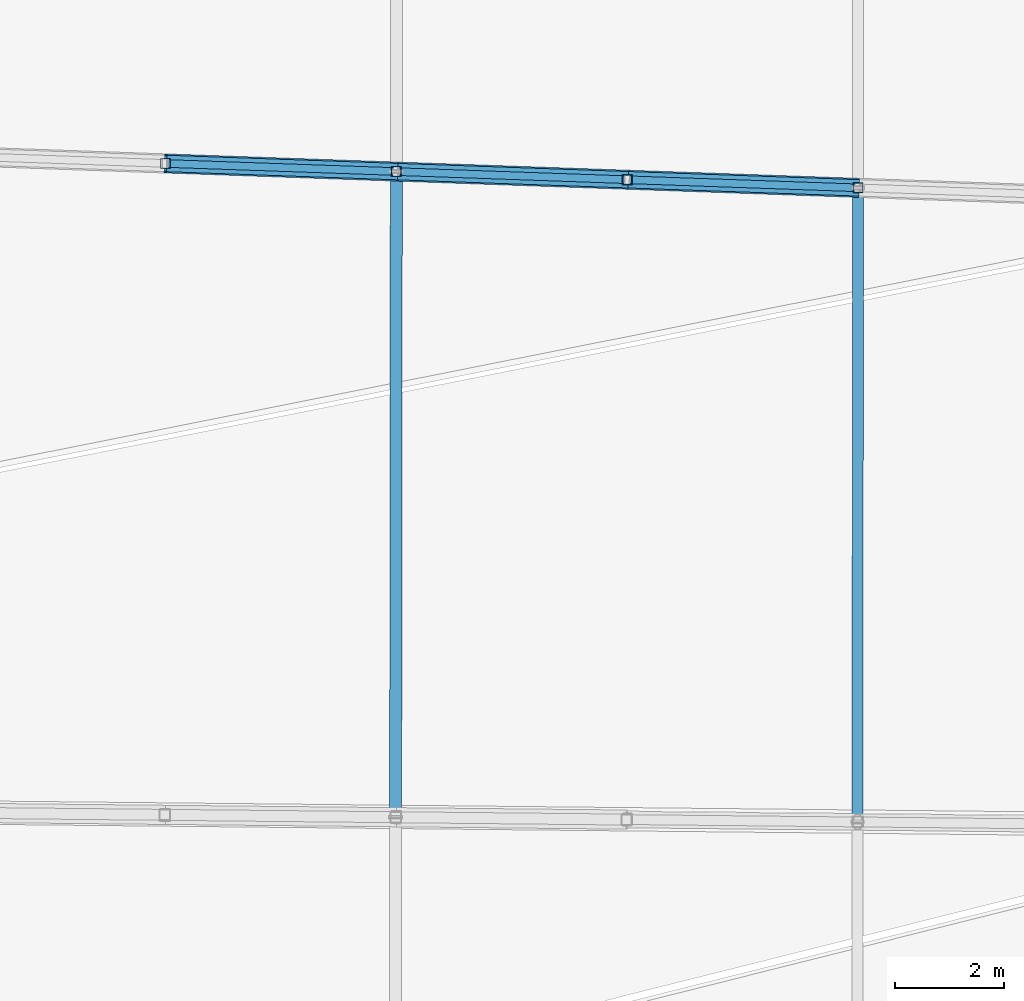
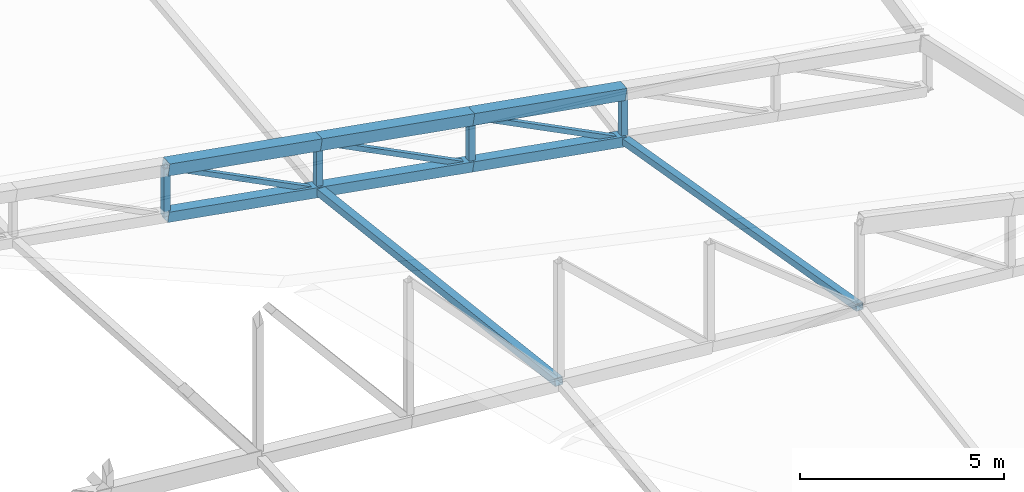
# One storey, part 65 of 344: 15 members.
"""IFC4 building model written with IfcOpenShell, lengths in metres."""

from ifc_helpers import new_model, si_unit, direction, frame, origin, origin_2d, place, context, subcontext, project, spatial, hollow_rectangle, extrude, material, material_profile, profile_set, type_object, element, save


model = new_model("IFC4")

# Units and contexts
model_context = context("Model", 3, precision=1e-05, world=origin(), true_north=direction((0.0, 1.0)))
body_context = subcontext(model_context, "Body", "Model", "MODEL_VIEW")
ifc_project = project(units=[si_unit("LENGTHUNIT", "METRE"), si_unit("AREAUNIT", "SQUARE_METRE"), si_unit("VOLUMEUNIT", "CUBIC_METRE"), si_unit("PLANEANGLEUNIT", "RADIAN"), si_unit("MASSUNIT", "GRAM", prefix="KILO")], contexts=[model_context])

# Site, building, storey
site_placement = place(None, origin())
site = spatial("IfcSite", under=ifc_project, at=site_placement, CompositionType="ELEMENT")
building_placement = place(site_placement, origin())
building = spatial("IfcBuilding", under=site, at=building_placement, Name="Meseta Stadium", CompositionType="ELEMENT")
storey_placement = place(building_placement, frame((0.0, 0.0, 24.0)))
storey = spatial("IfcBuildingStorey", under=building, at=storey_placement, Name="L04", CompositionType="ELEMENT", Elevation=24.0)

# Members
ifc_material_1 = material(Name="Steel S355", Category="steel")
ifc_material_profile_1 = material_profile(ifc_material_1, hollow_rectangle(XDim=0.139892578125, YDim=0.139892578125, WallThickness=0.0048828125, at=origin_2d()), Name="SHS 140x140x5")
ifc_profile_set_1 = profile_set([ifc_material_profile_1], Name="Steel S355")
member_type_1 = type_object("IfcMemberType", Name="SHS 140x140x5 diagonal", PredefinedType="BRACE", material=ifc_profile_set_1)
for number, where, z_axis, x_axis, name in (
    (1, (-55.43603515625, 17.36962890625, 2.3681640625), (-0.898066967953, 0.031645130098, 0.438718938288), (-0.035215082554, -0.999379756629, 0.0), "ROOF TRUSS RT-31 diagonal"),
    (2, (-59.655517578125, 17.518310546875, 3.001220703125), (-0.89806549, 0.031697040381, 0.438718216286), (-0.035272835107, -0.999377719936, 0.0), "ROOF TRUSS RT-31 diagonal"),
    (3, (-63.875, 17.667236328125, 3.634521484375), (-0.898097491679, 0.031644374707, 0.438656504556), (-0.035213047643, -0.999379828331, 0.0), "ROOF TRUSS RT-31 diagonal"),
):
    element("IfcMember", number, at=place(storey_placement, frame(where, z_axis=z_axis, x_axis=x_axis)), inside=storey, type_object=member_type_1, Name=name, PredefinedType="BRACE", context=body_context, shape_type="SweptSolid", body=[
        extrude(hollow_rectangle(XDim=0.139892578125, YDim=0.139892578125, WallThickness=0.0048828125, at=origin_2d()), origin(), (0.0, 0.0, 1.0), 4.698486328125),
    ])
ifc_material_2 = material(Name="Steel S355", Category="steel")
ifc_material_profile_2 = material_profile(ifc_material_2, hollow_rectangle(XDim=0.179931640625, YDim=0.179931640625, WallThickness=0.00634765625, at=origin_2d()), Name="SHS 180x180x6.3")
ifc_profile_set_2 = profile_set([ifc_material_profile_2], Name="Steel S355")
member_type_2 = type_object("IfcMemberType", Name="SHS 180x180x6.3 post", PredefinedType="POST", material=ifc_profile_set_2)
member_1_placement = place(storey_placement, frame((-55.43603515625, 17.36962890625, 2.3681640625), z_axis=(0.0, 0.0, 1.0), x_axis=(1.0, 0.0, 0.0)))
element("IfcMember", 4, at=member_1_placement, inside=storey, type_object=member_type_2, Name="ROOF TRUSS RT-31 post", PredefinedType="POST", context=body_context, shape_type="SweptSolid", body=[
    extrude(hollow_rectangle(XDim=0.179931640625, YDim=0.179931640625, WallThickness=0.00634765625, at=origin_2d()), origin(), (0.0, 0.0, 1.0), 1.427978515625),
])
member_2_placement = place(storey_placement, frame((-59.655517578125, 17.518310546875, 3.001220703125), z_axis=(0.0, 0.0, 1.0), x_axis=(1.0, 0.0, 0.0)))
element("IfcMember", 5, at=member_2_placement, inside=storey, type_object=member_type_2, Name="ROOF TRUSS RT-31 post", PredefinedType="POST", context=body_context, shape_type="SweptSolid", body=[
    extrude(hollow_rectangle(XDim=0.179931640625, YDim=0.179931640625, WallThickness=0.00634765625, at=origin_2d()), origin(), (0.0, 0.0, 1.0), 1.42822265625),
])
for number, where, z_axis, x_axis, name in (
    (6, (-63.875, 17.667236328125, 3.634521484375), (0.0, 0.0, 1.0), (1.0, 0.0, 0.0), "ROOF TRUSS RT-31 post"),
    (7, (-68.0947265625, 17.81591796875, 4.267578125), (0.0, 0.0, 1.0), (1.0, 0.0, 0.0), "ROOF TRUSS RT-31 post"),
):
    element("IfcMember", number, at=place(storey_placement, frame(where, z_axis=z_axis, x_axis=x_axis)), inside=storey, type_object=member_type_2, Name=name, PredefinedType="POST", context=body_context, shape_type="SweptSolid", body=[
        extrude(hollow_rectangle(XDim=0.179931640625, YDim=0.179931640625, WallThickness=0.00634765625, at=origin_2d()), origin(), (0.0, 0.0, 1.0), 1.427978515625),
    ])
ifc_material_3 = material(Name="Steel S355", Category="steel")
ifc_material_profile_3 = material_profile(ifc_material_3, hollow_rectangle(XDim=0.199951171875, YDim=0.199951171875, WallThickness=0.008056640625, at=origin_2d()), Name="SHS 200x200x8")
ifc_profile_set_3 = profile_set([ifc_material_profile_3], Name="Steel S355")
member_type_3 = type_object("IfcMemberType", Name="SHS 200x200x8 strut", PredefinedType="STRUT", material=ifc_profile_set_3)
member_3_placement = place(storey_placement, frame((-55.43603515625, 17.36962890625, 2.3681640625), z_axis=(-0.000643302687, -0.985311448024, 0.17076573589), x_axis=(0.999999786866, -0.000652892597, 0.0)))
element("IfcMember", 8, at=member_3_placement, inside=storey, type_object=member_type_3, Name="ROOF TRUSS STRUT RT-31/32", PredefinedType="STRUT", context=body_context, shape_type="SweptSolid", body=[
    extrude(hollow_rectangle(XDim=0.199951171875, YDim=0.199951171875, WallThickness=0.008056640625, at=origin_2d()), origin(), (0.0, 0.0, 1.0), 11.764892578125),
])
ifc_material_4 = material(Name="Steel S355", Category="steel")
ifc_material_profile_4 = material_profile(ifc_material_4, hollow_rectangle(XDim=0.219970703125, YDim=0.219970703125, WallThickness=0.008056640625, at=origin_2d()), Name="SHS 220x220x8")
ifc_profile_set_4 = profile_set([ifc_material_profile_4], Name="Steel S355")
member_type_4 = type_object("IfcMemberType", Name="SHS 220x220x8 strut", PredefinedType="STRUT", material=ifc_profile_set_4)
member_4_placement = place(storey_placement, frame((-63.875, 17.667236328125, 3.634521484375), z_axis=(-0.001067973413, -0.992886667036, 0.119058497617), x_axis=(0.999999421516, -0.001075624067, 0.0)))
element("IfcMember", 9, at=member_4_placement, inside=storey, type_object=member_type_4, Name="ROOF TRUSS STRUT RT-31/32", PredefinedType="STRUT", context=body_context, shape_type="SweptSolid", body=[
    extrude(hollow_rectangle(XDim=0.219970703125, YDim=0.219970703125, WallThickness=0.008056640625, at=origin_2d()), origin(), (0.0, 0.0, 1.0), 11.88720703125),
])
ifc_material_5 = material(Name="Steel S355", Category="steel")
ifc_material_profile_5 = material_profile(ifc_material_5, hollow_rectangle(XDim=0.300048828125, YDim=0.300048828125, WallThickness=0.010009765625, at=origin_2d()), Name="SHS 300x300x10")
ifc_profile_set_5 = profile_set([ifc_material_profile_5], Name="Steel S355")
member_type_5 = type_object("IfcMemberType", Name="SHS 300x300x10 bottom chord", PredefinedType="CHORD", material=ifc_profile_set_5)
for number, where, z_axis, x_axis, name in (
    (10, (-55.43603515625, 17.36962890625, 2.3681640625), (-0.988331847912, 0.03482578808, 0.148281229048), (-0.035215082554, -0.999379756629, 0.0), "ROOF TRUSS RT-31 bottom chord"),
    (11, (-59.655517578125, 17.518310546875, 3.001220703125), (-0.988321496008, 0.034882607913, 0.148336860536), (-0.035272835107, -0.999377719936, 0.0), "ROOF TRUSS RT-31 bottom chord"),
):
    element("IfcMember", number, at=place(storey_placement, frame(where, z_axis=z_axis, x_axis=x_axis)), inside=storey, type_object=member_type_5, Name=name, PredefinedType="CHORD", context=body_context, shape_type="SweptSolid", body=[
        extrude(hollow_rectangle(XDim=0.300048828125, YDim=0.300048828125, WallThickness=0.010009765625, at=origin_2d()), origin(), (0.0, 0.0, 1.0), 4.269287109375),
    ])
member_5_placement = place(storey_placement, frame((-63.875, 17.667236328125, 3.634521484375), z_axis=(-0.988333174505, 0.034823819907, 0.148272848964), x_axis=(-0.035213047643, -0.999379828331, 0.0)))
element("IfcMember", 12, at=member_5_placement, inside=storey, type_object=member_type_5, Name="ROOF TRUSS RT-31 bottom chord", PredefinedType="CHORD", context=body_context, shape_type="SweptSolid", body=[
    extrude(hollow_rectangle(XDim=0.300048828125, YDim=0.300048828125, WallThickness=0.010009765625, at=origin_2d()), origin(), (0.0, 0.0, 1.0), 4.26953125),
])
ifc_material_6 = material(Name="Steel S355", Category="steel")
ifc_material_profile_6 = material_profile(ifc_material_6, hollow_rectangle(XDim=0.35009765625, YDim=0.35009765625, WallThickness=0.010009765625, at=origin_2d()), Name="SHS 350x350x10")
ifc_profile_set_6 = profile_set([ifc_material_profile_6], Name="Steel S355")
member_type_6 = type_object("IfcMemberType", Name="SHS 350x350x10 top chord", PredefinedType="CHORD", material=ifc_profile_set_6)
for number, where, z_axis, x_axis, name in (
    (13, (-55.43603515625, 17.36962890625, 3.796142578125), (-0.98832346585, 0.034825492721, 0.148337156189), (-0.035215082554, -0.999379756629, 0.0), "ROOF TRUSS RT-31 top chord"),
    (14, (-59.655517578125, 17.518310546875, 4.429443359375), (-0.988329878019, 0.034882903755, 0.148280933501), (-0.035272835107, -0.999377719936, 0.0), "ROOF TRUSS RT-31 top chord"),
):
    element("IfcMember", number, at=place(storey_placement, frame(where, z_axis=z_axis, x_axis=x_axis)), inside=storey, type_object=member_type_6, Name=name, PredefinedType="CHORD", context=body_context, shape_type="SweptSolid", body=[
        extrude(hollow_rectangle(XDim=0.35009765625, YDim=0.35009765625, WallThickness=0.010009765625, at=origin_2d()), origin(), (0.0, 0.0, 1.0), 4.269287109375),
    ])
member_6_placement = place(storey_placement, frame((-63.875, 17.667236328125, 5.0625), z_axis=(-0.988333174505, 0.034823819907, 0.148272848964), x_axis=(-0.035213047643, -0.999379828331, 0.0)))
element("IfcMember", 15, at=member_6_placement, inside=storey, type_object=member_type_6, Name="ROOF TRUSS RT-31 top chord", PredefinedType="CHORD", context=body_context, shape_type="SweptSolid", body=[
    extrude(hollow_rectangle(XDim=0.35009765625, YDim=0.35009765625, WallThickness=0.010009765625, at=origin_2d()), origin(), (0.0, 0.0, 1.0), 4.26953125),
])

save(model, "model.ifc")
